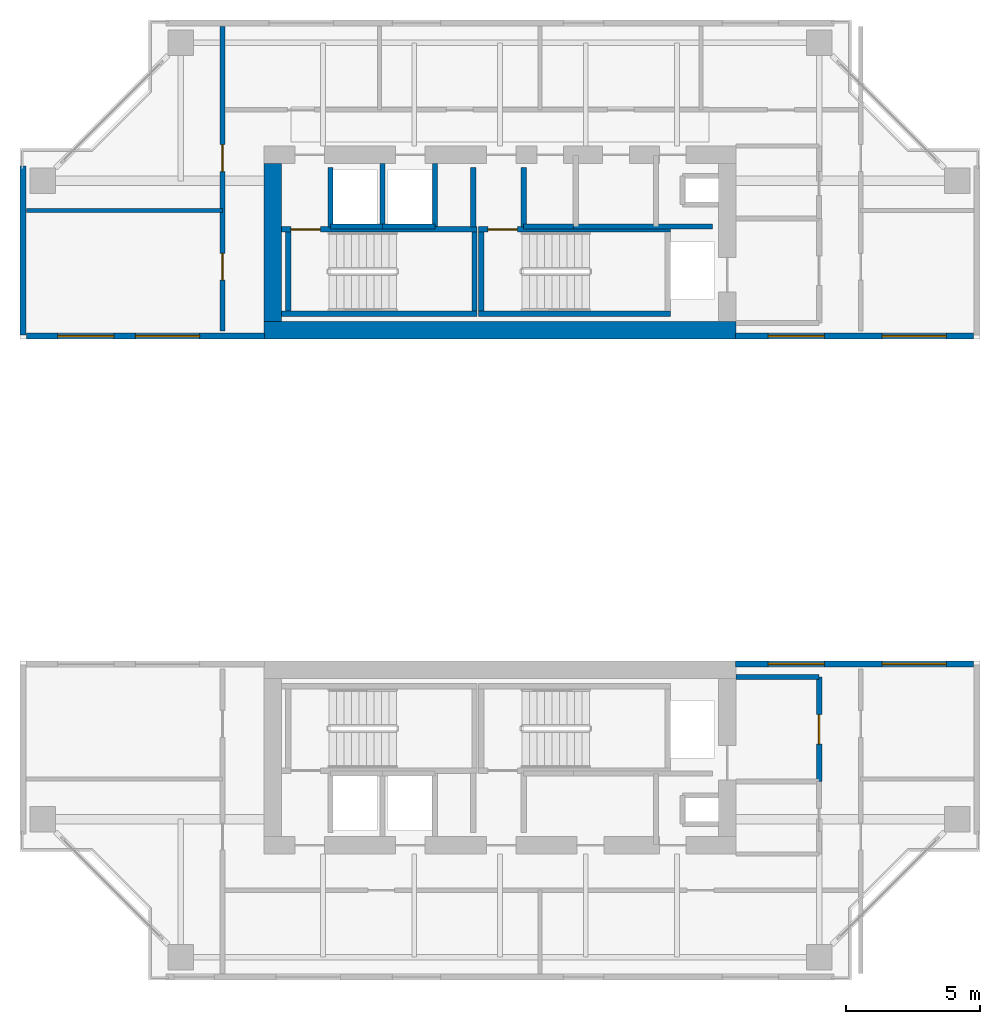
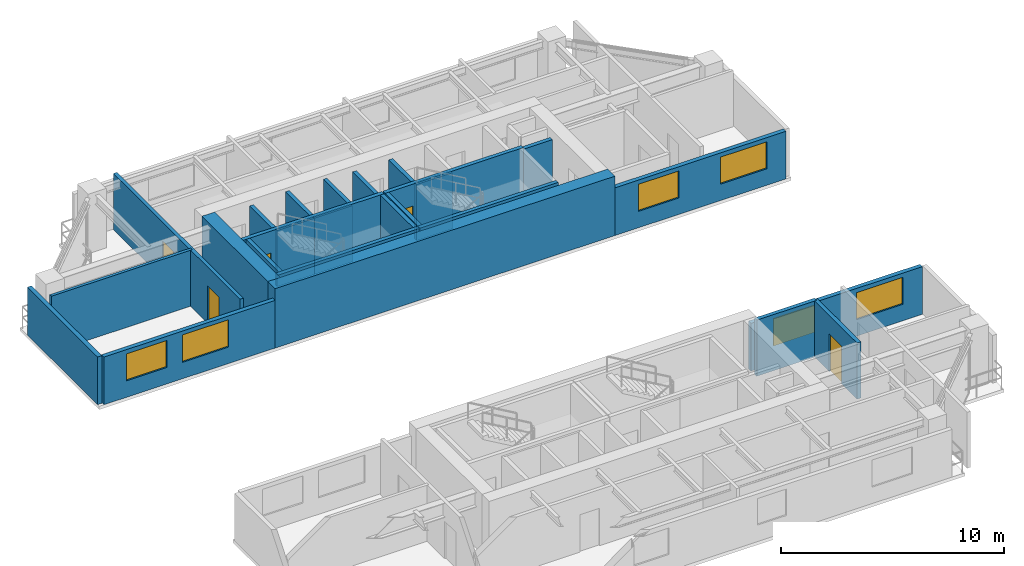
# One storey, part 8 of 12: 26 walls, 6 windows, 5 doors, 11 openings.
"""IFC4 building model written with IfcOpenShell, lengths in metres."""

from ifc_helpers import new_model, si_unit, direction, frame, frame_2d, origin, place, context, subcontext, project, spatial, rectangle, extrude, source, transform, mapped, material, layer, layer_set, type_object, element, fill, save


model = new_model("IFC4")

# Units and contexts
model_context = context("Model", 3, precision=1e-05, world=origin(), true_north=direction((0.0, 1.0)))
body_context = subcontext(model_context, "Body", "Model", "MODEL_VIEW")
ifc_project = project(units=[si_unit("LENGTHUNIT", "METRE"), si_unit("AREAUNIT", "SQUARE_METRE"), si_unit("VOLUMEUNIT", "CUBIC_METRE"), si_unit("PLANEANGLEUNIT", "RADIAN"), si_unit("MASSUNIT", "GRAM", prefix="KILO"), si_unit("THERMODYNAMICTEMPERATUREUNIT", "KELVIN"), si_unit("POWERUNIT", "WATT")], contexts=[model_context])

# Site, building, storey
site_placement = place(None, origin())
site = spatial("IfcSite", under=ifc_project, at=site_placement, CompositionType="ELEMENT")
building_placement = place(site_placement, origin())
building = spatial("IfcBuilding", under=site, at=building_placement, Name="Qiaomeng Ring Towers", CompositionType="ELEMENT")
storey_placement = place(building_placement, frame((0.0, 0.0, 166.5)))
storey = spatial("IfcBuildingStorey", under=building, at=storey_placement, Name="L48", CompositionType="ELEMENT", Elevation=166.5)

# Wall, openings, windows
ifc_material_1 = material(Name="Precast concrete C40", Category="concrete")
ifc_layer_1 = layer(ifc_material_1, 0.219970703125, Name="Precast concrete C40")
ifc_layer_set_1 = layer_set([ifc_layer_1], Name="Precast concrete C40")
wall_type_1 = type_object("IfcWallType", Name="ARC-WL-EW2", PredefinedType="STANDARD", material=ifc_layer_set_1)
wall_1_placement = place(storey_placement, frame((1.35009765625, 29.110107421875, 0.0), z_axis=(0.0, 0.0, 1.0), x_axis=(1.0, 0.0, 0.0)))
wall_1 = element("IfcWall", 1, at=wall_1_placement, inside=storey, type_object=wall_type_1, Name="L48 Portal Wing Wall NWING-W", PredefinedType="STANDARD", context=body_context, shape_type="SweptSolid", body=[
    extrude(rectangle(XDim=8.869873046875, YDim=0.219970703125, at=frame_2d((4.43505859375, 0.0))), origin(), (0.0, 0.0, 1.0), 2.610107421875),
])
opening_1_placement = place(wall_1_placement, frame((1.14990234375, 0.0, 0.89990234375)))
opening_1 = element("IfcOpeningElement", 2, at=opening_1_placement, cuts=wall_1, Name="Opening WN4", PredefinedType="OPENING", context=body_context, shape_type="SweptSolid", body=[
    extrude(rectangle(XDim=2.10009765625, YDim=1.47998046875, at=frame_2d((1.050048828125, 0.739990234375))), frame((0.0, 0.119873046875, 0.0), z_axis=(0.0, -1.0, 0.0), x_axis=(1.0, 0.0, 0.0)), (0.0, 0.0, 1.0), 0.239990234375),
])
opening_2_placement = place(wall_1_placement, frame((4.050048828125, 0.0, 0.89990234375)))
opening_2 = element("IfcOpeningElement", 3, at=opening_2_placement, cuts=wall_1, Name="Opening WN6", PredefinedType="OPENING", context=body_context, shape_type="SweptSolid", body=[
    extrude(rectangle(XDim=2.39990234375, YDim=1.5, at=frame_2d((1.199951171875, 0.75))), frame((0.0, 0.119873046875, 0.0), z_axis=(0.0, -1.0, 0.0), x_axis=(1.0, 0.0, 0.0)), (0.0, 0.0, 1.0), 0.239990234375),
])
ifc_material_2 = material(Name="Low-E dark-grey laminated double glazing", Category="glass")
window_type_1 = type_object("IfcWindowType", Name="ARC-WN-4", PartitioningType="TRIPLE_PANEL_VERTICAL", PredefinedType="WINDOW", material=ifc_material_2)
shared_shape_1 = source(origin(), body_context, "Body", "SweptSolid", [
    extrude(rectangle(XDim=2.10009765625, YDim=1.47998046875, at=frame_2d((1.050048828125, 0.739990234375))), frame((0.0, 0.030029296875, 0.0), z_axis=(0.0, -1.0, 0.0), x_axis=(1.0, 0.0, 0.0)), (0.0, 0.0, 1.0), 0.06005859375),
])
window_1_placement = place(opening_1_placement, origin())
window_1 = element("IfcWindow", 4, at=window_1_placement, inside=storey, type_object=window_type_1, Name="L48 Exterior Window WN4", OverallHeight=1.47998046875, OverallWidth=2.10009765625, PartitioningType="TRIPLE_PANEL_VERTICAL", PredefinedType="WINDOW", context=body_context, shape_type="MappedRepresentation", body=[
    mapped(shared_shape_1, transform((0.0, 0.0, 0.0), x_axis=(1.0, 0.0, 0.0), y_axis=(0.0, 1.0, 0.0), z_axis=(0.0, 0.0, 1.0), scale=1.0)),
])
fill(opening_1, window_1)
window_type_2 = type_object("IfcWindowType", Name="ARC-WN-6", PartitioningType="TRIPLE_PANEL_VERTICAL", PredefinedType="WINDOW", material=ifc_material_2)
shared_shape_2 = source(origin(), body_context, "Body", "SweptSolid", [
    extrude(rectangle(XDim=2.39990234375, YDim=1.5, at=frame_2d((1.199951171875, 0.75))), frame((0.0, 0.030029296875, 0.0), z_axis=(0.0, -1.0, 0.0), x_axis=(1.0, 0.0, 0.0)), (0.0, 0.0, 1.0), 0.06005859375),
])
window_2_placement = place(opening_2_placement, origin())
window_2 = element("IfcWindow", 5, at=window_2_placement, inside=storey, type_object=window_type_2, Name="L48 Exterior Window WN6", OverallHeight=1.5, OverallWidth=2.39990234375, PartitioningType="TRIPLE_PANEL_VERTICAL", PredefinedType="WINDOW", context=body_context, shape_type="MappedRepresentation", body=[
    mapped(shared_shape_2, transform((0.0, 0.0, 0.0), x_axis=(1.0, 0.0, 0.0), y_axis=(0.0, 1.0, 0.0), z_axis=(0.0, 0.0, 1.0), scale=1.0)),
])
fill(opening_2, window_2)

wall_2_placement = place(storey_placement, frame((27.780029296875, 29.110107421875, 0.0), z_axis=(0.0, 0.0, 1.0), x_axis=(1.0, 0.0, 0.0)))
wall_2 = element("IfcWall", 6, at=wall_2_placement, inside=storey, type_object=wall_type_1, Name="L48 Portal Wing Wall NWING-E", PredefinedType="STANDARD", context=body_context, shape_type="SweptSolid", body=[
    extrude(rectangle(XDim=8.869873046875, YDim=0.219970703125, at=frame_2d((4.43505859375, 0.0))), origin(), (0.0, 0.0, 1.0), 2.610107421875),
])
opening_3_placement = place(wall_2_placement, frame((1.219970703125, 0.0, 0.89990234375)))
opening_3 = element("IfcOpeningElement", 7, at=opening_3_placement, cuts=wall_2, Name="Opening WN4", PredefinedType="OPENING", context=body_context, shape_type="SweptSolid", body=[
    extrude(rectangle(XDim=2.10009765625, YDim=1.47998046875, at=frame_2d((1.050048828125, 0.739990234375))), frame((0.0, 0.119873046875, 0.0), z_axis=(0.0, -1.0, 0.0), x_axis=(1.0, 0.0, 0.0)), (0.0, 0.0, 1.0), 0.239990234375),
])
opening_4_placement = place(wall_2_placement, frame((5.469970703125, 0.0, 0.89990234375)))
opening_4 = element("IfcOpeningElement", 8, at=opening_4_placement, cuts=wall_2, Name="Opening WN6", PredefinedType="OPENING", context=body_context, shape_type="SweptSolid", body=[
    extrude(rectangle(XDim=2.39990234375, YDim=1.47998046875, at=frame_2d((1.199951171875, 0.739990234375))), frame((0.0, 0.119873046875, 0.0), z_axis=(0.0, -1.0, 0.0), x_axis=(1.0, 0.0, 0.0)), (0.0, 0.0, 1.0), 0.239990234375),
])
window_3_placement = place(opening_3_placement, origin())
window_3 = element("IfcWindow", 9, at=window_3_placement, inside=storey, type_object=window_type_1, Name="L48 Exterior Window WN4", OverallHeight=1.47998046875, OverallWidth=2.10009765625, PartitioningType="TRIPLE_PANEL_VERTICAL", PredefinedType="WINDOW", context=body_context, shape_type="MappedRepresentation", body=[
    mapped(shared_shape_1, transform((0.0, 0.0, 0.0), x_axis=(1.0, 0.0, 0.0), y_axis=(0.0, 1.0, 0.0), z_axis=(0.0, 0.0, 1.0), scale=1.0)),
])
fill(opening_3, window_3)
shared_shape_3 = source(origin(), body_context, "Body", "SweptSolid", [
    extrude(rectangle(XDim=2.39990234375, YDim=1.47998046875, at=frame_2d((1.199951171875, 0.739990234375))), frame((0.0, 0.030029296875, 0.0), z_axis=(0.0, -1.0, 0.0), x_axis=(1.0, 0.0, 0.0)), (0.0, 0.0, 1.0), 0.06005859375),
])
window_4_placement = place(opening_4_placement, origin())
window_4 = element("IfcWindow", 10, at=window_4_placement, inside=storey, type_object=window_type_2, Name="L48 Exterior Window WN6", OverallHeight=1.47998046875, OverallWidth=2.39990234375, PartitioningType="TRIPLE_PANEL_VERTICAL", PredefinedType="WINDOW", context=body_context, shape_type="MappedRepresentation", body=[
    mapped(shared_shape_3, transform((0.0, 0.0, 0.0), x_axis=(1.0, 0.0, 0.0), y_axis=(0.0, 1.0, 0.0), z_axis=(0.0, 0.0, 1.0), scale=1.0)),
])
fill(opening_4, window_4)

# Wall
wall_3_placement = place(storey_placement, frame((1.2099609375, 29.14990234375, 0.0), z_axis=(0.0, 0.0, 1.0), x_axis=(0.0, 1.0, 0.0)))
element("IfcWall", 11, at=wall_3_placement, inside=storey, type_object=wall_type_1, Name="L48 Portal Wing Side Wall NWING-WL", PredefinedType="STANDARD", context=body_context, shape_type="SweptSolid", body=[
    extrude(rectangle(XDim=6.300048828125, YDim=0.219970703125, at=frame_2d((3.14990234375, 0.0))), origin(), (0.0, 0.0, 1.0), 2.610107421875),
])

# Wall, openings, windows
wall_4_placement = place(storey_placement, frame((27.780029296875, 16.889892578125, 0.0), z_axis=(0.0, 0.0, 1.0), x_axis=(1.0, 0.0, 0.0)))
wall_4 = element("IfcWall", 12, at=wall_4_placement, inside=storey, type_object=wall_type_1, Name="L48 Portal Wing Wall SWING-E", PredefinedType="STANDARD", context=body_context, shape_type="SweptSolid", body=[
    extrude(rectangle(XDim=8.869873046875, YDim=0.219970703125, at=frame_2d((4.43505859375, 0.0))), origin(), (0.0, 0.0, 1.0), 2.610107421875),
])
opening_5_placement = place(wall_4_placement, frame((1.219970703125, 0.0, 0.89990234375)))
opening_5 = element("IfcOpeningElement", 13, at=opening_5_placement, cuts=wall_4, Name="Opening WN4", PredefinedType="OPENING", context=body_context, shape_type="SweptSolid", body=[
    extrude(rectangle(XDim=2.10009765625, YDim=1.47998046875, at=frame_2d((1.050048828125, 0.739990234375))), frame((0.0, 0.119873046875, 0.0), z_axis=(0.0, -1.0, 0.0), x_axis=(1.0, 0.0, 0.0)), (0.0, 0.0, 1.0), 0.239990234375),
])
opening_6_placement = place(wall_4_placement, frame((5.469970703125, 0.0, 0.89990234375)))
opening_6 = element("IfcOpeningElement", 14, at=opening_6_placement, cuts=wall_4, Name="Opening WN6", PredefinedType="OPENING", context=body_context, shape_type="SweptSolid", body=[
    extrude(rectangle(XDim=2.39990234375, YDim=1.47998046875, at=frame_2d((1.199951171875, 0.739990234375))), frame((0.0, 0.119873046875, 0.0), z_axis=(0.0, -1.0, 0.0), x_axis=(1.0, 0.0, 0.0)), (0.0, 0.0, 1.0), 0.239990234375),
])
window_5_placement = place(opening_5_placement, origin())
window_5 = element("IfcWindow", 15, at=window_5_placement, inside=storey, type_object=window_type_1, Name="L48 Exterior Window WN4", OverallHeight=1.47998046875, OverallWidth=2.10009765625, PartitioningType="TRIPLE_PANEL_VERTICAL", PredefinedType="WINDOW", context=body_context, shape_type="MappedRepresentation", body=[
    mapped(shared_shape_1, transform((0.0, 0.0, 0.0), x_axis=(1.0, 0.0, 0.0), y_axis=(0.0, 1.0, 0.0), z_axis=(0.0, 0.0, 1.0), scale=1.0)),
])
fill(opening_5, window_5)
window_6_placement = place(opening_6_placement, origin())
window_6 = element("IfcWindow", 16, at=window_6_placement, inside=storey, type_object=window_type_2, Name="L48 Exterior Window WN6", OverallHeight=1.47998046875, OverallWidth=2.39990234375, PartitioningType="TRIPLE_PANEL_VERTICAL", PredefinedType="WINDOW", context=body_context, shape_type="MappedRepresentation", body=[
    mapped(shared_shape_3, transform((0.0, 0.0, 0.0), x_axis=(1.0, 0.0, 0.0), y_axis=(0.0, 1.0, 0.0), z_axis=(0.0, 0.0, 1.0), scale=1.0)),
])
fill(opening_6, window_6)

# Wall
ifc_material_3 = material(Name="Autoclaved aerated concrete block", Category="concrete")
ifc_layer_2 = layer(ifc_material_3, 0.199951171875, Name="Autoclaved aerated concrete block")
ifc_layer_set_2 = layer_set([ifc_layer_2], Name="Autoclaved aerated concrete block")
wall_type_2 = type_object("IfcWallType", Name="ARC-WL-PW1", PredefinedType="PARTITIONING", material=ifc_layer_set_2)
wall_5_placement = place(storey_placement, frame((27.800048828125, 16.39990234375, 0.0), z_axis=(0.0, 0.0, 1.0), x_axis=(1.0, 0.0, 0.0)))
element("IfcWall", 17, at=wall_5_placement, inside=storey, type_object=wall_type_2, Name="L48 Interior Wall PW1", PredefinedType="PARTITIONING", context=body_context, shape_type="SweptSolid", body=[
    extrude(rectangle(XDim=3.099853515625, YDim=0.199951171875, at=frame_2d((1.5498046875, 0.0))), origin(), (0.0, 0.0, 1.0), 3.070068359375),
])

# Wall, opening, door
wall_6_placement = place(storey_placement, frame((30.89990234375, 12.5, 0.0), z_axis=(0.0, 0.0, 1.0), x_axis=(0.0, 1.0, 0.0)))
wall_6 = element("IfcWall", 18, at=wall_6_placement, inside=storey, type_object=wall_type_2, Name="L48 Interior Wall PW1", PredefinedType="PARTITIONING", context=body_context, shape_type="SweptSolid", body=[
    extrude(rectangle(XDim=3.89990234375, YDim=0.199951171875, at=frame_2d((1.949951171875, 0.0))), origin(), (0.0, 0.0, 1.0), 3.070068359375),
])
opening_7_placement = place(wall_6_placement, frame((1.39990234375, 0.0, 0.0)))
opening_7 = element("IfcOpeningElement", 19, at=opening_7_placement, cuts=wall_6, Name="Opening FD3", PredefinedType="OPENING", context=body_context, shape_type="SweptSolid", body=[
    extrude(rectangle(XDim=1.10009765625, YDim=2.050048828125, at=frame_2d((0.550048828125, 1.02490234375))), frame((0.0, 0.10986328125, 0.0), z_axis=(0.0, -1.0, 0.0), x_axis=(1.0, 0.0, 0.0)), (0.0, 0.0, 1.0), 0.219970703125),
])
ifc_material_4 = material(Name="Galvanised steel", Category="steel")
door_type_1 = type_object("IfcDoorType", Name="ARC-DR-FD3", OperationType="NOTDEFINED", PredefinedType="DOOR", material=ifc_material_4)
shared_shape_4 = source(origin(), body_context, "Body", "SweptSolid", [
    extrude(rectangle(XDim=1.10009765625, YDim=2.050048828125, at=frame_2d((0.550048828125, 1.02490234375))), frame((0.0, 0.02490234375, 0.0), z_axis=(0.0, -1.0, 0.0), x_axis=(1.0, 0.0, 0.0)), (0.0, 0.0, 1.0), 0.050048828125),
])
door_1_placement = place(opening_7_placement, origin())
door_1 = element("IfcDoor", 20, at=door_1_placement, inside=storey, type_object=door_type_1, Name="L48 South FF Lobby Door", OperationType="SINGLE_SWING_RIGHT", OverallHeight=2.050048828125, OverallWidth=1.10009765625, PredefinedType="DOOR", context=body_context, shape_type="MappedRepresentation", body=[
    mapped(shared_shape_4, transform((0.0, 0.0, 0.0), x_axis=(1.0, 0.0, 0.0), y_axis=(0.0, 1.0, 0.0), z_axis=(0.0, 0.0, 1.0), scale=1.0)),
])
fill(opening_7, door_1)

# Walls
for number, where, z_axis, x_axis, name in (
    (21, (12.679931640625, 33.18994140625, 0.0), (0.0, 0.0, 1.0), (0.0, 1.0, 0.0), "L48 Interior Wall PW1"),
    (22, (18.0, 33.18994140625, 0.0), (0.0, 0.0, 1.0), (0.0, 1.0, 0.0), "L48 Interior Wall PW1"),
    (23, (19.8798828125, 33.18994140625, 0.0), (0.0, 0.0, 1.0), (0.0, 1.0, 0.0), "L48 Interior Wall PW1"),
):
    element("IfcWall", number, at=place(storey_placement, frame(where, z_axis=z_axis, x_axis=x_axis)), inside=storey, type_object=wall_type_2, Name=name, PredefinedType="PARTITIONING", context=body_context, shape_type="SweptSolid", body=[
        extrude(rectangle(XDim=2.2099609375, YDim=0.199951171875, at=frame_2d((1.10498046875, 0.0))), origin(), (0.0, 0.0, 1.0), 3.070068359375),
    ])
wall_7_placement = place(storey_placement, frame((19.8798828125, 33.199951171875, 0.0), z_axis=(0.0, 0.0, 1.0), x_axis=(1.0, 0.0, 0.0)))
element("IfcWall", 24, at=wall_7_placement, inside=storey, type_object=wall_type_2, Name="L48 Interior Wall PW1", PredefinedType="PARTITIONING", context=body_context, shape_type="SweptSolid", body=[
    extrude(rectangle(XDim=1.8701171875, YDim=0.199951171875, at=frame_2d((0.93505859375, 0.0))), origin(), (0.0, 0.0, 1.0), 3.070068359375),
])
wall_8_placement = place(storey_placement, frame((21.75, 33.199951171875, 0.0), z_axis=(0.0, 0.0, 1.0), x_axis=(1.0, 0.0, 0.0)))
element("IfcWall", 25, at=wall_8_placement, inside=storey, type_object=wall_type_2, Name="L48 Interior Wall PW1", PredefinedType="PARTITIONING", context=body_context, shape_type="SweptSolid", body=[
    extrude(rectangle(XDim=5.169921875, YDim=0.199951171875, at=frame_2d((2.5849609375, 0.0))), origin(), (0.0, 0.0, 1.0), 3.070068359375),
])

# Wall, openings, doors
ifc_layer_3 = layer(ifc_material_3, 0.179931640625, Name="Autoclaved aerated concrete block")
ifc_layer_set_3 = layer_set([ifc_layer_3], Name="Autoclaved aerated concrete block")
wall_type_3 = type_object("IfcWallType", Name="ARC-WL-PW2", PredefinedType="PARTITIONING", material=ifc_layer_set_3)
wall_9_placement = place(storey_placement, frame((8.64990234375, 29.300048828125, 0.0), z_axis=(0.0, 0.0, 1.0), x_axis=(0.0, 1.0, 0.0)))
wall_9 = element("IfcWall", 26, at=wall_9_placement, inside=storey, type_object=wall_type_3, Name="L48 Interior Wall PW2", PredefinedType="PARTITIONING", context=body_context, shape_type="SweptSolid", body=[
    extrude(rectangle(XDim=11.349853515625, YDim=0.179931640625, at=frame_2d((5.6748046875, 0.0))), origin(), (0.0, 0.0, 1.0), 3.070068359375),
])
opening_8_placement = place(wall_9_placement, frame((1.89990234375, 0.0, 0.0)))
opening_8 = element("IfcOpeningElement", 27, at=opening_8_placement, cuts=wall_9, Name="Opening FD4", PredefinedType="OPENING", context=body_context, shape_type="SweptSolid", body=[
    extrude(rectangle(XDim=1.0, YDim=2.050048828125, at=frame_2d((0.5, 1.02490234375))), frame((0.0, 0.099853515625, 0.0), z_axis=(0.0, -1.0, 0.0), x_axis=(1.0, 0.0, 0.0)), (0.0, 0.0, 1.0), 0.199951171875),
])
opening_9_placement = place(wall_9_placement, frame((5.949951171875, 0.0, 0.0)))
opening_9 = element("IfcOpeningElement", 28, at=opening_9_placement, cuts=wall_9, Name="Opening FD4", PredefinedType="OPENING", context=body_context, shape_type="SweptSolid", body=[
    extrude(rectangle(XDim=1.0, YDim=2.050048828125, at=frame_2d((0.5, 1.02490234375))), frame((0.0, 0.099853515625, 0.0), z_axis=(0.0, -1.0, 0.0), x_axis=(1.0, 0.0, 0.0)), (0.0, 0.0, 1.0), 0.199951171875),
])
ifc_material_5 = material(Name="Engineered fire-rated oak timber", Category="wood")
door_type_2 = type_object("IfcDoorType", Name="ARC-DR-FD4", OperationType="NOTDEFINED", PredefinedType="DOOR", material=ifc_material_5)
shared_shape_5 = source(origin(), body_context, "Body", "SweptSolid", [
    extrude(rectangle(XDim=1.0, YDim=2.050048828125, at=frame_2d((0.5, 1.02490234375))), frame((0.0, 0.02490234375, 0.0), z_axis=(0.0, -1.0, 0.0), x_axis=(1.0, 0.0, 0.0)), (0.0, 0.0, 1.0), 0.050048828125),
])
door_2_placement = place(opening_8_placement, origin())
door_2 = element("IfcDoor", 29, at=door_2_placement, inside=storey, type_object=door_type_2, Name="L48 Door FD4", OperationType="SINGLE_SWING_RIGHT", OverallHeight=2.050048828125, OverallWidth=1.0, PredefinedType="DOOR", context=body_context, shape_type="MappedRepresentation", body=[
    mapped(shared_shape_5, transform((0.0, 0.0, 0.0), x_axis=(1.0, 0.0, 0.0), y_axis=(0.0, 1.0, 0.0), z_axis=(0.0, 0.0, 1.0), scale=1.0)),
])
fill(opening_8, door_2)
door_3_placement = place(opening_9_placement, origin())
door_3 = element("IfcDoor", 30, at=door_3_placement, inside=storey, type_object=door_type_2, Name="L48 Door FD4", OperationType="SINGLE_SWING_LEFT", OverallHeight=2.050048828125, OverallWidth=1.0, PredefinedType="DOOR", context=body_context, shape_type="MappedRepresentation", body=[
    mapped(shared_shape_5, transform((0.0, 0.0, 0.0), x_axis=(1.0, 0.0, 0.0), y_axis=(0.0, 1.0, 0.0), z_axis=(0.0, 0.0, 1.0), scale=1.0)),
])
fill(opening_9, door_3)

# Walls
ifc_material_6 = material(Name="Gypsum fireboard steel-stud partition", Category="steel")
ifc_layer_4 = layer(ifc_material_6, 0.14990234375, Name="Gypsum fireboard steel-stud partition")
ifc_layer_set_4 = layer_set([ifc_layer_4], Name="Gypsum fireboard steel-stud partition")
wall_type_4 = type_object("IfcWallType", Name="ARC-WL-PW3", PredefinedType="PARTITIONING", material=ifc_layer_set_4)
wall_10_placement = place(storey_placement, frame((1.35009765625, 33.800048828125, 0.0), z_axis=(0.0, 0.0, 1.0), x_axis=(1.0, 0.0, 0.0)))
element("IfcWall", 31, at=wall_10_placement, inside=storey, type_object=wall_type_4, Name="L48 Interior Wall PW3", PredefinedType="PARTITIONING", context=body_context, shape_type="SweptSolid", body=[
    extrude(rectangle(XDim=7.2998046875, YDim=0.14990234375, at=frame_2d((3.64990234375, 0.0))), origin(), (0.0, 0.0, 1.0), 3.070068359375),
])
ifc_material_7 = material(Name="Concrete C40", Category="concrete")
ifc_layer_5 = layer(ifc_material_7, 0.199951171875, Name="Concrete C40")
ifc_layer_set_5 = layer_set([ifc_layer_5], Name="Concrete C40")
wall_type_5 = type_object("IfcWallType", Name="STR-WL-STSHAFT", PredefinedType="SHEAR", material=ifc_layer_set_5)
wall_11_placement = place(storey_placement, frame((12.679931640625, 33.199951171875, 0.0), z_axis=(0.0, 0.0, 1.0), x_axis=(1.0, 0.0, 0.0)))
element("IfcWall", 32, at=wall_11_placement, inside=storey, type_object=wall_type_5, Name="L48 Lift LP5 Shaft Back Wall", PredefinedType="SHEAR", context=body_context, shape_type="SweptSolid", body=[
    extrude(rectangle(XDim=1.940185546875, YDim=0.179931640625, at=frame_2d((0.97021484375, 0.0))), origin(), (0.0, 0.0, 1.0), 3.070068359375),
])
wall_12_placement = place(storey_placement, frame((14.6201171875, 33.199951171875, 0.0), z_axis=(0.0, 0.0, 1.0), x_axis=(0.0, 1.0, 0.0)))
element("IfcWall", 33, at=wall_12_placement, inside=storey, type_object=wall_type_5, Name="L48 Lift LP5-LP3 Shaft Divider Wall", PredefinedType="SHEAR", context=body_context, shape_type="SweptSolid", body=[
    extrude(rectangle(XDim=2.35009765625, YDim=0.179931640625, at=frame_2d((1.175048828125, 0.0))), origin(), (0.0, 0.0, 1.0), 3.070068359375),
])
wall_13_placement = place(storey_placement, frame((14.6201171875, 33.199951171875, 0.0), z_axis=(0.0, 0.0, 1.0), x_axis=(1.0, 0.0, 0.0)))
element("IfcWall", 34, at=wall_13_placement, inside=storey, type_object=wall_type_5, Name="L48 Lift LP3 Shaft Back Wall", PredefinedType="SHEAR", context=body_context, shape_type="SweptSolid", body=[
    extrude(rectangle(XDim=1.9599609375, YDim=0.179931640625, at=frame_2d((0.97998046875, 0.0))), origin(), (0.0, 0.0, 1.0), 3.070068359375),
])
wall_14_placement = place(storey_placement, frame((16.580078125, 33.199951171875, 0.0), z_axis=(0.0, 0.0, 1.0), x_axis=(0.0, 1.0, 0.0)))
element("IfcWall", 35, at=wall_14_placement, inside=storey, type_object=wall_type_5, Name="L48 Lift LP3 East Shaft Wall", PredefinedType="SHEAR", context=body_context, shape_type="SweptSolid", body=[
    extrude(rectangle(XDim=2.35009765625, YDim=0.179931640625, at=frame_2d((1.175048828125, 0.0))), origin(), (0.0, 0.0, 1.0), 3.070068359375),
])
wall_15_placement = place(storey_placement, frame((10.85009765625, 29.949951171875, 0.0), z_axis=(0.0, 0.0, 1.0), x_axis=(1.0, 0.0, 0.0)))
element("IfcWall", 36, at=wall_15_placement, inside=storey, type_object=wall_type_5, Name="L48 Stair ST1 South Shaft Shear Wall", PredefinedType="SHEAR", context=body_context, shape_type="SweptSolid", body=[
    extrude(rectangle(XDim=7.2998046875, YDim=0.199951171875, at=frame_2d((3.64990234375, 0.0))), origin(), (0.0, 0.0, 1.0), 3.25),
])

# Wall, opening, door
wall_16_placement = place(storey_placement, frame((10.85009765625, 33.090087890625, 0.0), z_axis=(0.0, 0.0, 1.0), x_axis=(1.0, 0.0, 0.0)))
wall_16 = element("IfcWall", 37, at=wall_16_placement, inside=storey, type_object=wall_type_5, Name="L48 Stair ST1 North Shaft Shear Wall", PredefinedType="SHEAR", context=body_context, shape_type="SweptSolid", body=[
    extrude(rectangle(XDim=7.2998046875, YDim=0.199951171875, at=frame_2d((3.64990234375, 0.0))), origin(), (0.0, 0.0, 1.0), 3.25),
])
opening_10_placement = place(wall_16_placement, frame((0.35009765625, 0.0, 0.0)))
opening_10 = element("IfcOpeningElement", 38, at=opening_10_placement, cuts=wall_16, Name="Opening FD3", PredefinedType="OPENING", context=body_context, shape_type="SweptSolid", body=[
    extrude(rectangle(XDim=1.10009765625, YDim=2.050048828125, at=frame_2d((0.550048828125, 1.02490234375))), frame((0.0, 0.10986328125, 0.0), z_axis=(0.0, -1.0, 0.0), x_axis=(1.0, 0.0, 0.0)), (0.0, 0.0, 1.0), 0.219970703125),
])
door_4_placement = place(opening_10_placement, origin())
door_4 = element("IfcDoor", 39, at=door_4_placement, inside=storey, type_object=door_type_1, Name="L48 Stair ST1 Exit Door", OperationType="SINGLE_SWING_RIGHT", OverallHeight=2.050048828125, OverallWidth=1.10009765625, PredefinedType="DOOR", context=body_context, shape_type="MappedRepresentation", body=[
    mapped(shared_shape_4, transform((0.0, 0.0, 0.0), x_axis=(1.0, 0.0, 0.0), y_axis=(0.0, 1.0, 0.0), z_axis=(0.0, 0.0, 1.0), scale=1.0)),
])
fill(opening_10, door_4)

# Walls
for number, where, z_axis, x_axis, name in (
    (40, (11.10009765625, 30.050048828125, 0.0), (0.0, 0.0, 1.0), (0.0, 1.0, 0.0), "L48 Stair ST1 West Shaft Shear Wall"),
    (41, (18.050048828125, 30.050048828125, 0.0), (0.0, 0.0, 1.0), (0.0, 1.0, 0.0), "L48 Stair ST1 East Shaft Shear Wall"),
):
    element("IfcWall", number, at=place(storey_placement, frame(where, z_axis=z_axis, x_axis=x_axis)), inside=storey, type_object=wall_type_5, Name=name, PredefinedType="SHEAR", context=body_context, shape_type="SweptSolid", body=[
        extrude(rectangle(XDim=2.93994140625, YDim=0.199951171875, at=frame_2d((1.469970703125, 0.0))), origin(), (0.0, 0.0, 1.0), 3.25),
    ])
wall_17_placement = place(storey_placement, frame((18.199951171875, 29.949951171875, 0.0), z_axis=(0.0, 0.0, 1.0), x_axis=(1.0, 0.0, 0.0)))
element("IfcWall", 42, at=wall_17_placement, inside=storey, type_object=wall_type_5, Name="L48 Stair ST2 South Shaft Shear Wall", PredefinedType="SHEAR", context=body_context, shape_type="SweptSolid", body=[
    extrude(rectangle(XDim=7.150146484375, YDim=0.199951171875, at=frame_2d((3.5751953125, 0.0))), origin(), (0.0, 0.0, 1.0), 3.25),
])

# Wall, opening, door
wall_18_placement = place(storey_placement, frame((18.199951171875, 33.090087890625, 0.0), z_axis=(0.0, 0.0, 1.0), x_axis=(1.0, 0.0, 0.0)))
wall_18 = element("IfcWall", 43, at=wall_18_placement, inside=storey, type_object=wall_type_5, Name="L48 Stair ST2 North Shaft Shear Wall", PredefinedType="SHEAR", context=body_context, shape_type="SweptSolid", body=[
    extrude(rectangle(XDim=7.150146484375, YDim=0.199951171875, at=frame_2d((3.5751953125, 0.0))), origin(), (0.0, 0.0, 1.0), 3.25),
])
opening_11_placement = place(wall_18_placement, frame((0.35009765625, 0.0, 0.0)))
opening_11 = element("IfcOpeningElement", 44, at=opening_11_placement, cuts=wall_18, Name="Opening FD3", PredefinedType="OPENING", context=body_context, shape_type="SweptSolid", body=[
    extrude(rectangle(XDim=1.10009765625, YDim=2.050048828125, at=frame_2d((0.550048828125, 1.02490234375))), frame((0.0, 0.10986328125, 0.0), z_axis=(0.0, -1.0, 0.0), x_axis=(1.0, 0.0, 0.0)), (0.0, 0.0, 1.0), 0.219970703125),
])
door_5_placement = place(opening_11_placement, origin())
door_5 = element("IfcDoor", 45, at=door_5_placement, inside=storey, type_object=door_type_1, Name="L48 Stair ST2 Exit Door", OperationType="SINGLE_SWING_RIGHT", OverallHeight=2.050048828125, OverallWidth=1.10009765625, PredefinedType="DOOR", context=body_context, shape_type="MappedRepresentation", body=[
    mapped(shared_shape_4, transform((0.0, 0.0, 0.0), x_axis=(1.0, 0.0, 0.0), y_axis=(0.0, 1.0, 0.0), z_axis=(0.0, 0.0, 1.0), scale=1.0)),
])
fill(opening_11, door_5)

# Walls
wall_19_placement = place(storey_placement, frame((18.300048828125, 30.050048828125, 0.0), z_axis=(0.0, 0.0, 1.0), x_axis=(0.0, 1.0, 0.0)))
element("IfcWall", 46, at=wall_19_placement, inside=storey, type_object=wall_type_5, Name="L48 Stair ST2 West Shaft Shear Wall", PredefinedType="SHEAR", context=body_context, shape_type="SweptSolid", body=[
    extrude(rectangle(XDim=2.93994140625, YDim=0.199951171875, at=frame_2d((1.469970703125, 0.0))), origin(), (0.0, 0.0, 1.0), 3.25),
])
ifc_material_8 = material(Name="Concrete C50", Category="concrete")
ifc_layer_6 = layer(ifc_material_8, 0.64990234375, Name="Concrete C50")
ifc_layer_set_6 = layer_set([ifc_layer_6], Name="Concrete C50")
wall_type_6 = type_object("IfcWallType", Name="STR-WL-SW2B", PredefinedType="SHEAR", material=ifc_layer_set_6)
wall_20_placement = place(storey_placement, frame((10.199951171875, 29.324951171875, 0.0), z_axis=(0.0, 0.0, 1.0), x_axis=(1.0, 0.0, 0.0)))
element("IfcWall", 47, at=wall_20_placement, inside=storey, type_object=wall_type_6, Name="L48 T1NC south core shear wall", PredefinedType="SHEAR", context=body_context, shape_type="SweptSolid", body=[
    extrude(rectangle(XDim=17.60009765625, YDim=0.64990234375, at=frame_2d((8.800048828125, 0.0))), origin(), (0.0, 0.0, 1.0), 3.25),
])
wall_21_placement = place(storey_placement, frame((10.52490234375, 29.64990234375, 0.0), z_axis=(0.0, 0.0, 1.0), x_axis=(0.0, 1.0, 0.0)))
element("IfcWall", 48, at=wall_21_placement, inside=storey, type_object=wall_type_6, Name="L48 T1NC west core shear wall", PredefinedType="SHEAR", context=body_context, shape_type="SweptSolid", body=[
    extrude(rectangle(XDim=5.900146484375, YDim=0.64990234375, at=frame_2d((2.9501953125, 0.0))), origin(), (0.0, 0.0, 1.0), 3.25),
])

save(model, "model.ifc")
